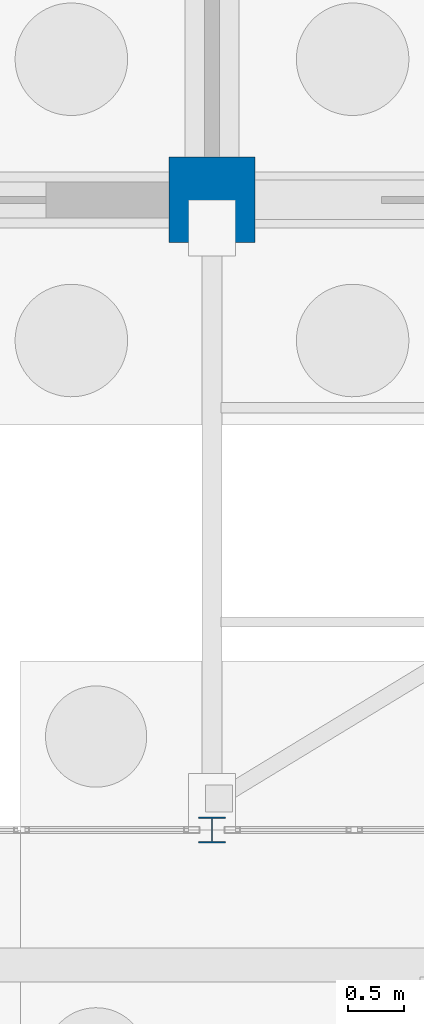
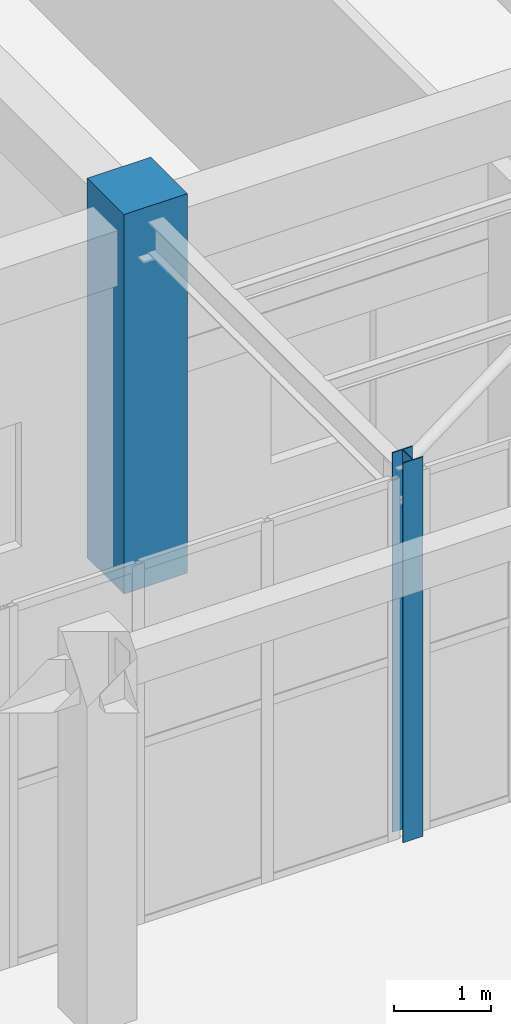
# One storey, part 32 of 192: 2 columns.
"""IFC4 building model written with IfcOpenShell, lengths in metres."""

from ifc_helpers import new_model, si_unit, direction, frame, origin, origin_2d, place, context, subcontext, project, spatial, rectangle, i_section, extrude, material, material_profile, profile_set, type_object, element, save


model = new_model("IFC4")

# Units and contexts
model_context = context("Model", 3, precision=1e-05, world=origin(), true_north=direction((0.0, 1.0)))
body_context = subcontext(model_context, "Body", "Model", "MODEL_VIEW")
ifc_project = project(units=[si_unit("LENGTHUNIT", "METRE"), si_unit("AREAUNIT", "SQUARE_METRE"), si_unit("VOLUMEUNIT", "CUBIC_METRE"), si_unit("PLANEANGLEUNIT", "RADIAN"), si_unit("MASSUNIT", "GRAM", prefix="KILO")], contexts=[model_context])

# Site, building, storey
site_placement = place(None, origin())
site = spatial("IfcSite", under=ifc_project, at=site_placement, CompositionType="ELEMENT")
building_placement = place(site_placement, origin())
building = spatial("IfcBuilding", under=site, at=building_placement, Name="Trelvath General Hospital", CompositionType="ELEMENT")
storey_placement = place(building_placement, origin())
storey = spatial("IfcBuildingStorey", under=building, at=storey_placement, Name="L00", CompositionType="ELEMENT", Elevation=0.0)

# Columns
ifc_material_1 = material(Name="Steel S355", Category="steel")
ifc_material_profile_1 = material_profile(ifc_material_1, i_section(OverallWidth=0.239990234375, OverallDepth=0.22998046875, WebThickness=0.007568359375, FlangeThickness=0.011962890625, at=origin_2d()), Name="HEA240")
ifc_profile_set_1 = profile_set([ifc_material_profile_1], Name="Steel S355")
column_type_1 = type_object("IfcColumnType", Name="BridgeColumn HEA240", PredefinedType="COLUMN", material=ifc_profile_set_1)
column_1_placement = place(storey_placement, frame((58.800048828125, 86.800048828125, 0.0), z_axis=(0.0, 0.0, 1.0), x_axis=(1.0, 0.0, 0.0)))
element("IfcColumn", 1, at=column_1_placement, inside=storey, type_object=column_type_1, Name="Bridge Portal Column BC-05 L00", PredefinedType="COLUMN", context=body_context, shape_type="SweptSolid", body=[
    extrude(i_section(OverallWidth=0.239990234375, OverallDepth=0.22998046875, WebThickness=0.007568359375, FlangeThickness=0.011962890625, at=origin_2d()), origin(), (0.0, 0.0, 1.0), 4.800048828125),
])
ifc_material_2 = material(Name="Concrete C40/50", Category="concrete")
ifc_material_profile_2 = material_profile(ifc_material_2, rectangle(XDim=0.760009765625, YDim=0.760009765625, at=origin_2d()), Name="RC760x760")
ifc_profile_set_2 = profile_set([ifc_material_profile_2], Name="Concrete C40/50")
column_type_2 = type_object("IfcColumnType", Name="Column RC760", PredefinedType="COLUMN", material=ifc_profile_set_2)
column_2_placement = place(storey_placement, frame((58.800048828125, 92.39990234375, 0.0), z_axis=(0.0, 0.0, 1.0), x_axis=(1.0, 0.0, 0.0)))
element("IfcColumn", 2, at=column_2_placement, inside=storey, type_object=column_type_2, Name="Column C-8L L00", PredefinedType="COLUMN", context=body_context, shape_type="SweptSolid", body=[
    extrude(rectangle(XDim=0.760009765625, YDim=0.760009765625, at=origin_2d()), origin(), (0.0, 0.0, 1.0), 4.800048828125),
])

save(model, "model.ifc")
